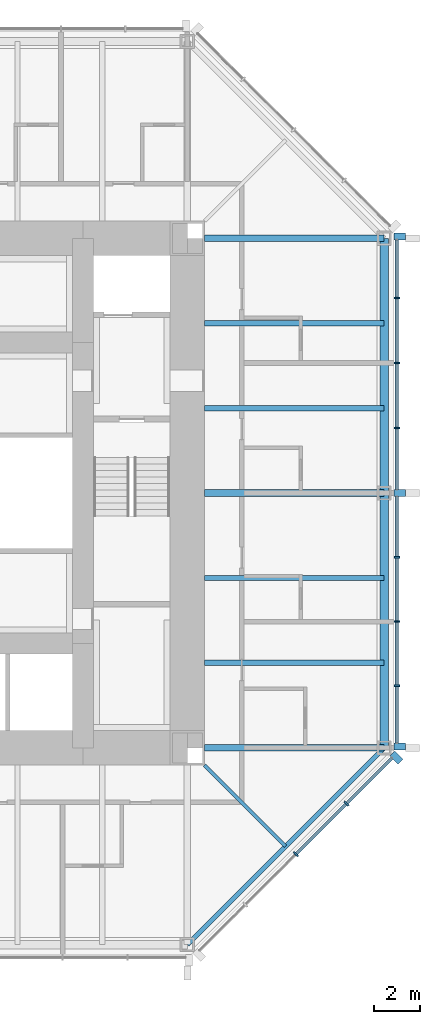
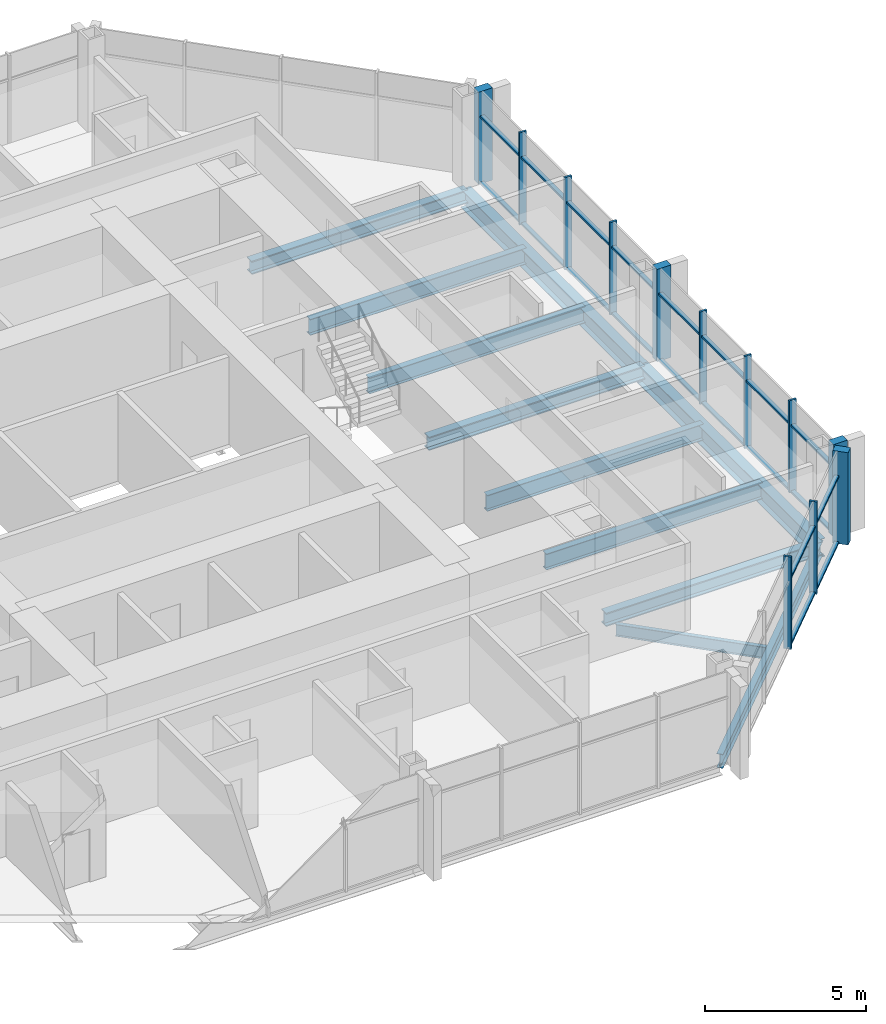
# One storey, part 4 of 12: 32 members, 11 beams, 2 elements without a shape of their own.
"""IFC4 building model written with IfcOpenShell, lengths in metres."""

import ifcopenshell
import ifcopenshell.guid

model = None  # the IFC model being written
_history = None  # IfcOwnerHistory: only IFC2X3 demands one
_inside = {}  # id of a spatial element -> (the spatial element, [elements in it])
_under = {}  # id of a project, library or spatial element -> (it, [spatial elements below it])
_declared = {}  # id of a project -> (the project, [libraries it declares])
_typed = {}  # id of a type object -> (the type object, [elements of that type])
_made_of = {}  # id of a material, layer set ... -> (it, [elements and type objects made of it])


def new_model(schema):
    """Start an empty IFC model of exactly this schema.

    Asked for "IFC4X3", IfcOpenShell would pick the latest addendum, in which some entities
    have other attributes; the version numbers below select the first issue.
    IFC2X3 requires an IfcOwnerHistory on every rooted entity: one is made here for all.
    """
    global model, _history
    if schema == "IFC4X3":
        model = ifcopenshell.file(schema_version=(4, 3, 0, 0))
    else:
        model = ifcopenshell.file(schema=schema)
    _inside.clear()
    _under.clear()
    _declared.clear()
    _typed.clear()
    _made_of.clear()
    _history = None
    if model.schema == "IFC2X3":
        org = make("IfcOrganization", Name="unknown")
        user = make(
            "IfcPersonAndOrganization",
            ThePerson=make("IfcPerson", FamilyName="unknown"),
            TheOrganization=org,
        )
        app = make(
            "IfcApplication",
            ApplicationDeveloper=org,
            Version="unknown",
            ApplicationFullName="unknown",
            ApplicationIdentifier="unknown",
        )
        _history = make(
            "IfcOwnerHistory",
            OwningUser=user,
            OwningApplication=app,
            ChangeAction="ADDED",
            CreationDate=0,
        )
    return model


def make(cls, **values):
    """One entity of the class cls with the attributes given. An attribute that is None is left unset."""
    return model.create_entity(
        cls, **{name: value for name, value in values.items() if value is not None}
    )


def rooted(cls, **values):
    """An entity with a GlobalId (a new one), such as an element, a storey or a relation."""
    return make(cls, GlobalId=ifcopenshell.guid.new(), OwnerHistory=_history, **values)


def si_unit(unit_type, name, prefix=None):
    """IfcSIUnit, for example si_unit("LENGTHUNIT", "METRE", prefix="MILLI")."""
    return make("IfcSIUnit", UnitType=unit_type, Prefix=prefix, Name=name)


def assignment(units):
    """IfcUnitAssignment: the units of a project."""
    return None if units is None else make("IfcUnitAssignment", Units=units)


def point(xyz):
    """IfcCartesianPoint."""
    return None if xyz is None else make("IfcCartesianPoint", Coordinates=xyz)


def direction(xyz):
    """IfcDirection."""
    return None if xyz is None else make("IfcDirection", DirectionRatios=xyz)


def frame(location, z_axis=None, x_axis=None):
    """IfcAxis2Placement3D, a coordinate frame: its origin and axes. An axis left out is left unset."""
    return make(
        "IfcAxis2Placement3D",
        Location=point(location),
        Axis=direction(z_axis),
        RefDirection=direction(x_axis),
    )


def frame_2d(location, x_axis=None):
    """IfcAxis2Placement2D, a coordinate frame in the plane: its origin and x axis."""
    return make(
        "IfcAxis2Placement2D", Location=point(location), RefDirection=direction(x_axis)
    )


def origin():
    """The frame at (0, 0, 0) with its axes left unset."""
    return frame((0.0, 0.0, 0.0))


def origin_2d():
    """The frame at (0, 0) in the plane with its x axis left unset."""
    return frame_2d((0.0, 0.0))


def place(relative_to, where):
    """IfcLocalPlacement: puts the frame where relative to a parent placement (None: the world)."""
    return make(
        "IfcLocalPlacement", PlacementRelTo=relative_to, RelativePlacement=where
    )


def context(
    kind, dimensions, precision=None, world=None, true_north=None, identifier=None
):
    """IfcGeometricRepresentationContext, for example the 3D "Model" context."""
    return make(
        "IfcGeometricRepresentationContext",
        ContextIdentifier=identifier,
        ContextType=kind,
        CoordinateSpaceDimension=dimensions,
        Precision=precision,
        WorldCoordinateSystem=world,
        TrueNorth=true_north,
    )


def subcontext(parent, identifier, kind, view, scale=None):
    """IfcGeometricRepresentationSubContext, for example "Body" below "Model"."""
    return make(
        "IfcGeometricRepresentationSubContext",
        ContextIdentifier=identifier,
        ContextType=kind,
        ParentContext=parent,
        TargetScale=scale,
        TargetView=view,
    )


def project(units=None, contexts=None):
    """IfcProject with its units and contexts."""
    return rooted(
        "IfcProject",
        Name="project",
        RepresentationContexts=contexts,
        UnitsInContext=assignment(units),
    )


def spatial(cls, under=None, at=None, **own):
    """A site, building, storey or space (cls), placed at a placement, below another one or the project."""
    s = rooted(cls, ObjectPlacement=at, **own)
    if under is not None:
        _under.setdefault(under.id(), (under, []))[1].append(s)
    return s


def profile(cls, at=None, kind="AREA", **sizes):
    """A parametric profile (cls). Its sizes go by their IFC names, for example OverallWidth=200.0."""
    return make(cls, ProfileType=kind, Position=at, **sizes)


def rectangle(**sizes):
    """IfcRectangleProfileDef."""
    return profile("IfcRectangleProfileDef", **sizes)


def i_section(**sizes):
    """IfcIShapeProfileDef."""
    return profile("IfcIShapeProfileDef", **sizes)


def extrude(swept, where, along, depth):
    """IfcExtrudedAreaSolid: the profile swept, set in the frame where, extruded along a direction by depth."""
    return make(
        "IfcExtrudedAreaSolid",
        SweptArea=swept,
        Position=where,
        ExtrudedDirection=direction(along),
        Depth=depth,
    )


def shape(context_of_items, identifier, shape_type, items):
    """IfcShapeRepresentation: the items that make up one representation, for example the "Body"."""
    return make(
        "IfcShapeRepresentation",
        ContextOfItems=context_of_items,
        RepresentationIdentifier=identifier,
        RepresentationType=shape_type,
        Items=items,
    )


def material(Name=None, Category=None):
    """IfcMaterial."""
    return make("IfcMaterial", Name=Name, Category=Category)


def material_profile(
    of_material, cross_section, Name=None, Category=None, Priority=None
):
    """IfcMaterialProfile: a cross section and its material."""
    return make(
        "IfcMaterialProfile",
        Name=Name,
        Material=of_material,
        Profile=cross_section,
        Priority=Priority,
        Category=Category,
    )


def profile_set(profiles, Name=None, composite=None):
    """IfcMaterialProfileSet."""
    return make(
        "IfcMaterialProfileSet",
        Name=Name,
        MaterialProfiles=profiles,
        CompositeProfile=composite,
    )


def made_of(thing, what):
    """Note that an element or type object is made of a material, layer set ...; save() writes the relation."""
    if what is not None:
        _made_of.setdefault(what.id(), (what, []))[1].append(thing)
    return thing


def type_object(cls, material=None, **own):
    """A type object (cls), such as IfcWallType, which elements share."""
    return made_of(rooted(cls, **own), material)


def element(
    cls,
    number,
    at=None,
    inside=None,
    cuts=None,
    type_object=None,
    material=None,
    context=None,
    identifier="Body",
    shape_type=None,
    held_by="IfcProductDefinitionShape",
    body=None,
    shapes=None,
    **own,
):
    """One element of the class cls, such as IfcWall. Its Tag is "e" and its number.

    at: its placement. inside: the storey or other place that contains it. cuts: it is an
    opening in that element (IfcRelVoidsElement). A single representation is given by context,
    identifier, shape_type and body (its items); several are given by shapes. held_by: the class
    of the entity that holds the representations. save() writes the other relations.
    """
    e = rooted(cls, Tag="e%d" % number, ObjectPlacement=at, **own)
    if body is not None:
        shapes = [shape(context, identifier, shape_type, body)]
    if shapes is not None:
        e.Representation = make(held_by, Representations=shapes)
    if inside is not None:
        _inside.setdefault(inside.id(), (inside, []))[1].append(e)
    if cuts is not None:
        rooted(
            "IfcRelVoidsElement", RelatingBuildingElement=cuts, RelatedOpeningElement=e
        )
    if type_object is not None:
        _typed.setdefault(type_object.id(), (type_object, []))[1].append(e)
    return made_of(e, material)


def aggregate(whole, parts):
    """IfcRelAggregates: a whole, such as a stair, and the parts it consists of."""
    return rooted("IfcRelAggregates", RelatingObject=whole, RelatedObjects=parts)


def save(model, path):
    """Write the relations noted so far, then the file.

    IfcRelAggregates (storeys below a building ...), IfcRelContainedInSpatialStructure (elements
    in a storey), IfcRelDefinesByType, IfcRelAssociatesMaterial and IfcRelDeclares: one each for
    every whole, place, type object, material and project.
    """
    for whole, parts in _under.values():
        aggregate(whole, parts)
    for where, things in _inside.values():
        rooted(
            "IfcRelContainedInSpatialStructure",
            RelatedElements=things,
            RelatingStructure=where,
        )
    for kind, things in _typed.values():
        rooted("IfcRelDefinesByType", RelatedObjects=things, RelatingType=kind)
    for what, things in _made_of.values():
        rooted("IfcRelAssociatesMaterial", RelatedObjects=things, RelatingMaterial=what)
    for by, libraries in _declared.values():
        rooted("IfcRelDeclares", RelatingContext=by, RelatedDefinitions=libraries)
    model.write(path)


model = new_model("IFC4")

# Units and contexts
model_context = context("Model", 3, precision=1e-05, world=origin(), true_north=direction((0.0, 1.0)))
body_context = subcontext(model_context, "Body", "Model", "MODEL_VIEW")
ifc_project = project(units=[si_unit("LENGTHUNIT", "METRE"), si_unit("AREAUNIT", "SQUARE_METRE"), si_unit("VOLUMEUNIT", "CUBIC_METRE"), si_unit("PLANEANGLEUNIT", "RADIAN"), si_unit("MASSUNIT", "GRAM", prefix="KILO")], contexts=[model_context])

# Site, building, storey
site_placement = place(None, origin())
site = spatial("IfcSite", under=ifc_project, at=site_placement, CompositionType="ELEMENT")
building_placement = place(site_placement, origin())
building = spatial("IfcBuilding", under=site, at=building_placement, Name="Trevanion Tower", CompositionType="ELEMENT")
storey_placement = place(building_placement, frame((0.0, 0.0, 194.199951171875)))
storey = spatial("IfcBuildingStorey", under=building, at=storey_placement, Name="L45", CompositionType="ELEMENT", Elevation=194.199951171875)

# Beams
ifc_material_1 = material(Name="Steel ASTM A992 Grade 50", Category="steel")
ifc_material_profile_1 = material_profile(ifc_material_1, i_section(OverallWidth=0.228271484375, OverallDepth=0.607177734375, WebThickness=0.01123046875, FlangeThickness=0.017333984375, at=origin_2d()), Name="W24X76")
ifc_profile_set_1 = profile_set([ifc_material_profile_1], Name="Steel ASTM A992 Grade 50")
beam_type_1 = type_object("IfcBeamType", Name="B11 W24X76", PredefinedType="BEAM", material=ifc_profile_set_1)
for number, where, z_axis, x_axis, name in (
    (1, (11.75, -7.333251953125, -0.493408203125), (1.0, 0.0, 0.0), (0.0, 1.0, 0.0), "B11 L45"),
    (2, (11.75, -3.666748046875, -0.493408203125), (1.0, 0.0, 0.0), (0.0, 1.0, 0.0), "B11 L45"),
    (3, (11.75, 3.666748046875, -0.493408203125), (1.0, 0.0, 0.0), (0.0, 1.0, 0.0), "B11 L45"),
    (4, (11.75, 7.333251953125, -0.493408203125), (1.0, 0.0, 0.0), (0.0, 1.0, 0.0), "B11 L45"),
):
    element("IfcBeam", number, at=place(storey_placement, frame(where, z_axis=z_axis, x_axis=x_axis)), inside=storey, type_object=beam_type_1, Name=name, PredefinedType="BEAM", context=body_context, shape_type="SweptSolid", body=[
        extrude(i_section(OverallWidth=0.228271484375, OverallDepth=0.607177734375, WebThickness=0.01123046875, FlangeThickness=0.017333984375, at=origin_2d()), origin(), (0.0, 0.0, 1.0), 7.75),
    ])
ifc_material_2 = material(Name="Steel ASTM A992 Grade 50", Category="steel")
ifc_material_profile_2 = material_profile(ifc_material_2, i_section(OverallWidth=0.15234375, OverallDepth=0.449462890625, WebThickness=0.007568359375, FlangeThickness=0.0107421875, at=origin_2d()), Name="W18X35")
ifc_profile_set_2 = profile_set([ifc_material_profile_2], Name="Steel ASTM A992 Grade 50")
beam_type_2 = type_object("IfcBeamType", Name="B12 W18X35", PredefinedType="BEAM", material=ifc_profile_set_2)
beam_1_placement = place(storey_placement, frame((11.75, -11.75, -0.414794921875), z_axis=(0.707106781187, -0.707106781187, 0.0), x_axis=(0.707106781187, 0.707106781187, 0.0)))
element("IfcBeam", 5, at=beam_1_placement, inside=storey, type_object=beam_type_2, Name="B12 L45", PredefinedType="BEAM", context=body_context, shape_type="SweptSolid", body=[
    extrude(i_section(OverallWidth=0.15234375, OverallDepth=0.449462890625, WebThickness=0.007568359375, FlangeThickness=0.0107421875, at=origin_2d()), origin(), (0.0, 0.0, 1.0), 4.94970703125),
])

# Curtain wall, members
ifc_material_3 = material(Name="Aluminium and glass", Category="aluminium")
curtain_wall_type = type_object("IfcCurtainWallType", Name="CW3 curtain wall", PredefinedType="USERDEFINED", material=ifc_material_3)
curtain_wall_1_placement = place(storey_placement, origin())
curtain_wall_1 = element("IfcCurtainWall", 6, at=curtain_wall_1_placement, inside=storey, type_object=curtain_wall_type, Name="CW3 L45 0", ObjectType="UNITISED CURTAIN WALL", PredefinedType="USERDEFINED")
ifc_material_4 = material(Name="Aluminium extrusion, anodised bronze", Category="aluminium")
ifc_material_profile_3 = material_profile(ifc_material_4, rectangle(XDim=0.074951171875, YDim=0.25, at=origin_2d()), Name="CW3 mullion")
ifc_profile_set_3 = profile_set([ifc_material_profile_3], Name="Aluminium extrusion, anodised bronze")
member_type_1 = type_object("IfcMemberType", Name="CW3 mullion", PredefinedType="MULLION", material=ifc_profile_set_3)
member_1_placement = place(storey_placement, frame((20.050048828125, -8.323486328125, -0.18994140625), z_axis=(0.0, 0.0, 1.0), x_axis=(0.0, 1.0, 0.0)))
member_1 = element("IfcMember", 7, at=member_1_placement, type_object=member_type_1, Name="CW3 mullion 2", PredefinedType="MULLION", context=body_context, shape_type="SweptSolid", body=[
    extrude(rectangle(XDim=0.074951171875, YDim=0.25, at=origin_2d()), origin(), (0.0, 0.0, 1.0), 3.5),
])
member_2_placement = place(storey_placement, frame((20.050048828125, -5.548828125, -0.18994140625), z_axis=(0.0, 0.0, 1.0), x_axis=(0.0, 1.0, 0.0)))
member_2 = element("IfcMember", 8, at=member_2_placement, type_object=member_type_1, Name="CW3 mullion 3", PredefinedType="MULLION", context=body_context, shape_type="SweptSolid", body=[
    extrude(rectangle(XDim=0.074951171875, YDim=0.25, at=origin_2d()), origin(), (0.0, 0.0, 1.0), 3.5),
])
member_3_placement = place(storey_placement, frame((20.050048828125, -2.7744140625, -0.18994140625), z_axis=(0.0, 0.0, 1.0), x_axis=(0.0, 1.0, 0.0)))
member_3 = element("IfcMember", 9, at=member_3_placement, type_object=member_type_1, Name="CW3 mullion 4", PredefinedType="MULLION", context=body_context, shape_type="SweptSolid", body=[
    extrude(rectangle(XDim=0.074951171875, YDim=0.25, at=origin_2d()), origin(), (0.0, 0.0, 1.0), 3.5),
])
member_4_placement = place(storey_placement, frame((20.050048828125, 2.806884765625, -0.18994140625), z_axis=(0.0, 0.0, 1.0), x_axis=(0.0, 1.0, 0.0)))
member_4 = element("IfcMember", 10, at=member_4_placement, type_object=member_type_1, Name="CW3 mullion 6", PredefinedType="MULLION", context=body_context, shape_type="SweptSolid", body=[
    extrude(rectangle(XDim=0.074951171875, YDim=0.25, at=origin_2d()), origin(), (0.0, 0.0, 1.0), 3.5),
])
member_5_placement = place(storey_placement, frame((20.050048828125, 5.614013671875, -0.18994140625), z_axis=(0.0, 0.0, 1.0), x_axis=(0.0, 1.0, 0.0)))
member_5 = element("IfcMember", 11, at=member_5_placement, type_object=member_type_1, Name="CW3 mullion 7", PredefinedType="MULLION", context=body_context, shape_type="SweptSolid", body=[
    extrude(rectangle(XDim=0.074951171875, YDim=0.25, at=origin_2d()), origin(), (0.0, 0.0, 1.0), 3.5),
])
member_6_placement = place(storey_placement, frame((20.050048828125, 8.4208984375, -0.18994140625), z_axis=(0.0, 0.0, 1.0), x_axis=(0.0, 1.0, 0.0)))
member_6 = element("IfcMember", 12, at=member_6_placement, type_object=member_type_1, Name="CW3 mullion 8", PredefinedType="MULLION", context=body_context, shape_type="SweptSolid", body=[
    extrude(rectangle(XDim=0.074951171875, YDim=0.25, at=origin_2d()), origin(), (0.0, 0.0, 1.0), 3.5),
])

curtain_wall_2_placement = place(storey_placement, origin())
curtain_wall_2 = element("IfcCurtainWall", 13, at=curtain_wall_2_placement, inside=storey, type_object=curtain_wall_type, Name="CW3 L45 7", ObjectType="UNITISED CURTAIN WALL", PredefinedType="USERDEFINED")
member_7_placement = place(storey_placement, frame((15.684814453125, -15.593017578125, -0.18994140625), z_axis=(0.0, 0.0, 1.0), x_axis=(0.707106781187, 0.707106781187, 0.0)))
member_7 = element("IfcMember", 14, at=member_7_placement, type_object=member_type_1, Name="CW3 mullion 3", PredefinedType="MULLION", context=body_context, shape_type="SweptSolid", body=[
    extrude(rectangle(XDim=0.074951171875, YDim=0.25, at=origin_2d()), origin(), (0.0, 0.0, 1.0), 3.5),
])
member_8_placement = place(storey_placement, frame((17.867431640625, -13.410400390625, -0.18994140625), z_axis=(0.0, 0.0, 1.0), x_axis=(0.707106781187, 0.707106781187, 0.0)))
member_8 = element("IfcMember", 15, at=member_8_placement, type_object=member_type_1, Name="CW3 mullion 4", PredefinedType="MULLION", context=body_context, shape_type="SweptSolid", body=[
    extrude(rectangle(XDim=0.074951171875, YDim=0.25, at=origin_2d()), origin(), (0.0, 0.0, 1.0), 3.5),
])

# Member
ifc_material_5 = material(Name="Aluminium extrusion, anodised bronze", Category="aluminium")
ifc_material_profile_4 = material_profile(ifc_material_5, rectangle(XDim=0.300048828125, YDim=0.5, at=origin_2d()), Name="CW3 pier mullion")
ifc_profile_set_4 = profile_set([ifc_material_profile_4], Name="Aluminium extrusion, anodised bronze")
member_type_2 = type_object("IfcMemberType", Name="CW3 pier mullion", PredefinedType="MULLION", material=ifc_profile_set_4)
member_9_placement = place(storey_placement, frame((20.175048828125, -10.94775390625, -0.18994140625), z_axis=(0.0, 0.0, 1.0), x_axis=(0.0, 1.0, 0.0)))
member_9 = element("IfcMember", 16, at=member_9_placement, type_object=member_type_2, Name="CW3 pier mullion 1", PredefinedType="MULLION", context=body_context, shape_type="SweptSolid", body=[
    extrude(rectangle(XDim=0.300048828125, YDim=0.5, at=origin_2d()), origin(), (0.0, 0.0, 1.0), 3.5),
])

member_10_placement = place(storey_placement, frame((20.175048828125, 0.0, -0.18994140625), z_axis=(0.0, 0.0, 1.0), x_axis=(0.0, 1.0, 0.0)))
member_10 = element("IfcMember", 17, at=member_10_placement, type_object=member_type_2, Name="CW3 pier mullion 5", PredefinedType="MULLION", context=body_context, shape_type="SweptSolid", body=[
    extrude(rectangle(XDim=0.300048828125, YDim=0.5, at=origin_2d()), origin(), (0.0, 0.0, 1.0), 3.5),
])

member_11_placement = place(storey_placement, frame((20.175048828125, 11.077880859375, -0.18994140625), z_axis=(0.0, 0.0, 1.0), x_axis=(0.0, 1.0, 0.0)))
member_11 = element("IfcMember", 18, at=member_11_placement, type_object=member_type_2, Name="CW3 pier mullion 9", PredefinedType="MULLION", context=body_context, shape_type="SweptSolid", body=[
    extrude(rectangle(XDim=0.300048828125, YDim=0.5, at=origin_2d()), origin(), (0.0, 0.0, 1.0), 3.5),
])

member_12_placement = place(storey_placement, frame((20.0322265625, -11.42236328125, -0.18994140625), z_axis=(0.0, 0.0, 1.0), x_axis=(0.707106781187, 0.707106781187, 0.0)))
member_12 = element("IfcMember", 19, at=member_12_placement, type_object=member_type_2, Name="CW3 pier mullion 5", PredefinedType="MULLION", context=body_context, shape_type="SweptSolid", body=[
    extrude(rectangle(XDim=0.300048828125, YDim=0.5, at=origin_2d()), origin(), (0.0, 0.0, 1.0), 3.5),
])

ifc_material_6 = material(Name="Aluminium extrusion, anodised bronze", Category="aluminium")
ifc_material_profile_5 = material_profile(ifc_material_6, rectangle(XDim=0.14990234375, YDim=0.074951171875, at=origin_2d()), Name="CW3 transom")
ifc_profile_set_5 = profile_set([ifc_material_profile_5], Name="Aluminium extrusion, anodised bronze")
member_type_3 = type_object("IfcMemberType", Name="CW3 transom", PredefinedType="USERDEFINED", material=ifc_profile_set_5)
member_13_placement = place(storey_placement, frame((20.050048828125, -10.7978515625, -0.15234375), z_axis=(0.0, 1.0, 0.0), x_axis=(-1.0, 0.0, 0.0)))
member_13 = element("IfcMember", 20, at=member_13_placement, type_object=member_type_3, Name="CW3 transom 1.1", ObjectType="TRANSOM", PredefinedType="USERDEFINED", context=body_context, shape_type="SweptSolid", body=[
    extrude(rectangle(XDim=0.14990234375, YDim=0.074951171875, at=origin_2d()), origin(), (0.0, 0.0, 1.0), 2.43701171875),
])

member_14_placement = place(storey_placement, frame((20.050048828125, -10.7978515625, 2.360107421875), z_axis=(0.0, 1.0, 0.0), x_axis=(-1.0, 0.0, 0.0)))
member_14 = element("IfcMember", 21, at=member_14_placement, type_object=member_type_3, Name="CW3 transom 1.2", ObjectType="TRANSOM", PredefinedType="USERDEFINED", context=body_context, shape_type="SweptSolid", body=[
    extrude(rectangle(XDim=0.14990234375, YDim=0.074951171875, at=origin_2d()), origin(), (0.0, 0.0, 1.0), 2.43701171875),
])

member_15_placement = place(storey_placement, frame((20.050048828125, -8.285888671875, -0.15234375), z_axis=(0.0, 1.0, 0.0), x_axis=(-1.0, 0.0, 0.0)))
member_15 = element("IfcMember", 22, at=member_15_placement, type_object=member_type_3, Name="CW3 transom 2.1", ObjectType="TRANSOM", PredefinedType="USERDEFINED", context=body_context, shape_type="SweptSolid", body=[
    extrude(rectangle(XDim=0.14990234375, YDim=0.074951171875, at=origin_2d()), origin(), (0.0, 0.0, 1.0), 2.699462890625),
])

member_16_placement = place(storey_placement, frame((20.050048828125, -8.285888671875, 2.360107421875), z_axis=(0.0, 1.0, 0.0), x_axis=(-1.0, 0.0, 0.0)))
member_16 = element("IfcMember", 23, at=member_16_placement, type_object=member_type_3, Name="CW3 transom 2.2", ObjectType="TRANSOM", PredefinedType="USERDEFINED", context=body_context, shape_type="SweptSolid", body=[
    extrude(rectangle(XDim=0.14990234375, YDim=0.074951171875, at=origin_2d()), origin(), (0.0, 0.0, 1.0), 2.699462890625),
])

member_17_placement = place(storey_placement, frame((20.050048828125, -5.511474609375, -0.15234375), z_axis=(0.0, 1.0, 0.0), x_axis=(-1.0, 0.0, 0.0)))
member_17 = element("IfcMember", 24, at=member_17_placement, type_object=member_type_3, Name="CW3 transom 3.1", ObjectType="TRANSOM", PredefinedType="USERDEFINED", context=body_context, shape_type="SweptSolid", body=[
    extrude(rectangle(XDim=0.14990234375, YDim=0.074951171875, at=origin_2d()), origin(), (0.0, 0.0, 1.0), 2.699462890625),
])

member_18_placement = place(storey_placement, frame((20.050048828125, -5.511474609375, 2.360107421875), z_axis=(0.0, 1.0, 0.0), x_axis=(-1.0, 0.0, 0.0)))
member_18 = element("IfcMember", 25, at=member_18_placement, type_object=member_type_3, Name="CW3 transom 3.2", ObjectType="TRANSOM", PredefinedType="USERDEFINED", context=body_context, shape_type="SweptSolid", body=[
    extrude(rectangle(XDim=0.14990234375, YDim=0.074951171875, at=origin_2d()), origin(), (0.0, 0.0, 1.0), 2.699462890625),
])

member_19_placement = place(storey_placement, frame((20.050048828125, -2.737060546875, -0.15234375), z_axis=(0.0, 1.0, 0.0), x_axis=(-1.0, 0.0, 0.0)))
member_19 = element("IfcMember", 26, at=member_19_placement, type_object=member_type_3, Name="CW3 transom 4.1", ObjectType="TRANSOM", PredefinedType="USERDEFINED", context=body_context, shape_type="SweptSolid", body=[
    extrude(rectangle(XDim=0.14990234375, YDim=0.074951171875, at=origin_2d()), origin(), (0.0, 0.0, 1.0), 2.587158203125),
])

member_20_placement = place(storey_placement, frame((20.050048828125, -2.737060546875, 2.360107421875), z_axis=(0.0, 1.0, 0.0), x_axis=(-1.0, 0.0, 0.0)))
member_20 = element("IfcMember", 27, at=member_20_placement, type_object=member_type_3, Name="CW3 transom 4.2", ObjectType="TRANSOM", PredefinedType="USERDEFINED", context=body_context, shape_type="SweptSolid", body=[
    extrude(rectangle(XDim=0.14990234375, YDim=0.074951171875, at=origin_2d()), origin(), (0.0, 0.0, 1.0), 2.587158203125),
])

member_21_placement = place(storey_placement, frame((20.050048828125, 0.14990234375, -0.15234375), z_axis=(0.0, 1.0, 0.0), x_axis=(-1.0, 0.0, 0.0)))
member_21 = element("IfcMember", 28, at=member_21_placement, type_object=member_type_3, Name="CW3 transom 5.1", ObjectType="TRANSOM", PredefinedType="USERDEFINED", context=body_context, shape_type="SweptSolid", body=[
    extrude(rectangle(XDim=0.14990234375, YDim=0.074951171875, at=origin_2d()), origin(), (0.0, 0.0, 1.0), 2.619384765625),
])

member_22_placement = place(storey_placement, frame((20.050048828125, 0.14990234375, 2.360107421875), z_axis=(0.0, 1.0, 0.0), x_axis=(-1.0, 0.0, 0.0)))
member_22 = element("IfcMember", 29, at=member_22_placement, type_object=member_type_3, Name="CW3 transom 5.2", ObjectType="TRANSOM", PredefinedType="USERDEFINED", context=body_context, shape_type="SweptSolid", body=[
    extrude(rectangle(XDim=0.14990234375, YDim=0.074951171875, at=origin_2d()), origin(), (0.0, 0.0, 1.0), 2.619384765625),
])

member_23_placement = place(storey_placement, frame((20.050048828125, 2.844482421875, -0.15234375), z_axis=(0.0, 1.0, 0.0), x_axis=(-1.0, 0.0, 0.0)))
member_23 = element("IfcMember", 30, at=member_23_placement, type_object=member_type_3, Name="CW3 transom 6.1", ObjectType="TRANSOM", PredefinedType="USERDEFINED", context=body_context, shape_type="SweptSolid", body=[
    extrude(rectangle(XDim=0.14990234375, YDim=0.074951171875, at=origin_2d()), origin(), (0.0, 0.0, 1.0), 2.73193359375),
])

member_24_placement = place(storey_placement, frame((20.050048828125, 2.844482421875, 2.360107421875), z_axis=(0.0, 1.0, 0.0), x_axis=(-1.0, 0.0, 0.0)))
member_24 = element("IfcMember", 31, at=member_24_placement, type_object=member_type_3, Name="CW3 transom 6.2", ObjectType="TRANSOM", PredefinedType="USERDEFINED", context=body_context, shape_type="SweptSolid", body=[
    extrude(rectangle(XDim=0.14990234375, YDim=0.074951171875, at=origin_2d()), origin(), (0.0, 0.0, 1.0), 2.73193359375),
])

member_25_placement = place(storey_placement, frame((20.050048828125, 5.6513671875, -0.15234375), z_axis=(0.0, 1.0, 0.0), x_axis=(-1.0, 0.0, 0.0)))
member_25 = element("IfcMember", 32, at=member_25_placement, type_object=member_type_3, Name="CW3 transom 7.1", ObjectType="TRANSOM", PredefinedType="USERDEFINED", context=body_context, shape_type="SweptSolid", body=[
    extrude(rectangle(XDim=0.14990234375, YDim=0.074951171875, at=origin_2d()), origin(), (0.0, 0.0, 1.0), 2.73193359375),
])

member_26_placement = place(storey_placement, frame((20.050048828125, 5.6513671875, 2.360107421875), z_axis=(0.0, 1.0, 0.0), x_axis=(-1.0, 0.0, 0.0)))
member_26 = element("IfcMember", 33, at=member_26_placement, type_object=member_type_3, Name="CW3 transom 7.2", ObjectType="TRANSOM", PredefinedType="USERDEFINED", context=body_context, shape_type="SweptSolid", body=[
    extrude(rectangle(XDim=0.14990234375, YDim=0.074951171875, at=origin_2d()), origin(), (0.0, 0.0, 1.0), 2.73193359375),
])

member_27_placement = place(storey_placement, frame((20.050048828125, 8.45849609375, -0.15234375), z_axis=(0.0, 1.0, 0.0), x_axis=(-1.0, 0.0, 0.0)))
member_27 = element("IfcMember", 34, at=member_27_placement, type_object=member_type_3, Name="CW3 transom 8.1", ObjectType="TRANSOM", PredefinedType="USERDEFINED", context=body_context, shape_type="SweptSolid", body=[
    extrude(rectangle(XDim=0.14990234375, YDim=0.074951171875, at=origin_2d()), origin(), (0.0, 0.0, 1.0), 2.46923828125),
])

member_28_placement = place(storey_placement, frame((20.050048828125, 8.45849609375, 2.360107421875), z_axis=(0.0, 1.0, 0.0), x_axis=(-1.0, 0.0, 0.0)))
member_28 = element("IfcMember", 35, at=member_28_placement, type_object=member_type_3, Name="CW3 transom 8.2", ObjectType="TRANSOM", PredefinedType="USERDEFINED", context=body_context, shape_type="SweptSolid", body=[
    extrude(rectangle(XDim=0.14990234375, YDim=0.074951171875, at=origin_2d()), origin(), (0.0, 0.0, 1.0), 2.46923828125),
])

aggregate(curtain_wall_1, [member_9, member_1, member_2, member_3, member_10, member_4, member_5, member_6, member_11, member_13, member_14, member_15, member_16, member_17, member_18, member_19, member_20, member_21, member_22, member_23, member_24, member_25, member_26, member_27, member_28])

member_29_placement = place(storey_placement, frame((15.71142578125, -15.56640625, -0.15234375), z_axis=(0.707106781187, 0.707106781187, 0.0), x_axis=(-0.707106781187, 0.707106781187, 0.0)))
member_29 = element("IfcMember", 36, at=member_29_placement, type_object=member_type_3, Name="CW3 transom 3.1", ObjectType="TRANSOM", PredefinedType="USERDEFINED", context=body_context, shape_type="SweptSolid", body=[
    extrude(rectangle(XDim=0.14990234375, YDim=0.074951171875, at=origin_2d()), origin(), (0.0, 0.0, 1.0), 3.011474609375),
])

member_30_placement = place(storey_placement, frame((15.71142578125, -15.56640625, 2.360107421875), z_axis=(0.707106781187, 0.707106781187, 0.0), x_axis=(-0.707106781187, 0.707106781187, 0.0)))
member_30 = element("IfcMember", 37, at=member_30_placement, type_object=member_type_3, Name="CW3 transom 3.2", ObjectType="TRANSOM", PredefinedType="USERDEFINED", context=body_context, shape_type="SweptSolid", body=[
    extrude(rectangle(XDim=0.14990234375, YDim=0.074951171875, at=origin_2d()), origin(), (0.0, 0.0, 1.0), 3.011474609375),
])

member_31_placement = place(storey_placement, frame((17.89404296875, -13.3837890625, -0.15234375), z_axis=(0.707106781187, 0.707106781187, 0.0), x_axis=(-0.707106781187, 0.707106781187, 0.0)))
member_31 = element("IfcMember", 38, at=member_31_placement, type_object=member_type_3, Name="CW3 transom 4.1", ObjectType="TRANSOM", PredefinedType="USERDEFINED", context=body_context, shape_type="SweptSolid", body=[
    extrude(rectangle(XDim=0.14990234375, YDim=0.074951171875, at=origin_2d()), origin(), (0.0, 0.0, 1.0), 2.7490234375),
])

member_32_placement = place(storey_placement, frame((17.89404296875, -13.3837890625, 2.360107421875), z_axis=(0.707106781187, 0.707106781187, 0.0), x_axis=(-0.707106781187, 0.707106781187, 0.0)))
member_32 = element("IfcMember", 39, at=member_32_placement, type_object=member_type_3, Name="CW3 transom 4.2", ObjectType="TRANSOM", PredefinedType="USERDEFINED", context=body_context, shape_type="SweptSolid", body=[
    extrude(rectangle(XDim=0.14990234375, YDim=0.074951171875, at=origin_2d()), origin(), (0.0, 0.0, 1.0), 2.7490234375),
])

aggregate(curtain_wall_2, [member_7, member_8, member_12, member_29, member_30, member_31, member_32])

# Beams
ifc_material_7 = material(Name="Steel ASTM A992 Grade 50", Category="steel")
ifc_material_profile_6 = material_profile(ifc_material_7, i_section(OverallWidth=0.28955078125, OverallDepth=0.508056640625, WebThickness=0.022705078125, FlangeThickness=0.040283203125, at=origin_2d()), Name="W18X175")
ifc_profile_set_6 = profile_set([ifc_material_profile_6], Name="Steel ASTM A992 Grade 50")
beam_type_3 = type_object("IfcBeamType", Name="G6 W18X175", PredefinedType="BEAM", material=ifc_profile_set_6)
for number, where, z_axis, x_axis, name in (
    (40, (11.75, -11.0, -0.44384765625), (1.0, 0.0, 0.0), (0.0, 1.0, 0.0), "G6 L45"),
    (41, (11.75, 0.0, -0.44384765625), (1.0, 0.0, 0.0), (0.0, 1.0, 0.0), "G6 L45"),
    (42, (11.75, 11.0, -0.44384765625), (1.0, 0.0, 0.0), (0.0, 1.0, 0.0), "G6 L45"),
):
    element("IfcBeam", number, at=place(storey_placement, frame(where, z_axis=z_axis, x_axis=x_axis)), inside=storey, type_object=beam_type_3, Name=name, PredefinedType="BEAM", context=body_context, shape_type="SweptSolid", body=[
        extrude(i_section(OverallWidth=0.28955078125, OverallDepth=0.508056640625, WebThickness=0.022705078125, FlangeThickness=0.040283203125, at=origin_2d()), origin(), (0.0, 0.0, 1.0), 7.75),
    ])
ifc_material_8 = material(Name="Steel ASTM A992 Grade 50", Category="steel")
ifc_material_profile_7 = material_profile(ifc_material_8, i_section(OverallWidth=0.355712890625, OverallDepth=0.696044921875, WebThickness=0.015380859375, FlangeThickness=0.024658203125, at=origin_2d()), Name="W27X146")
ifc_profile_set_7 = profile_set([ifc_material_profile_7], Name="Steel ASTM A992 Grade 50")
beam_type_4 = type_object("IfcBeamType", Name="SB8 W27X146", PredefinedType="SPANDREL", material=ifc_profile_set_7)
for number, where, z_axis, x_axis, name in (
    (43, (19.5, -11.0, -0.537841796875), (0.0, 1.0, 0.0), (-1.0, 0.0, 0.0), "SB8 L45"),
    (44, (19.5, 0.0, -0.537841796875), (0.0, 1.0, 0.0), (-1.0, 0.0, 0.0), "SB8 L45"),
):
    element("IfcBeam", number, at=place(storey_placement, frame(where, z_axis=z_axis, x_axis=x_axis)), inside=storey, type_object=beam_type_4, Name=name, PredefinedType="SPANDREL", context=body_context, shape_type="SweptSolid", body=[
        extrude(i_section(OverallWidth=0.355712890625, OverallDepth=0.696044921875, WebThickness=0.015380859375, FlangeThickness=0.024658203125, at=origin_2d()), origin(), (0.0, 0.0, 1.0), 11.0),
    ])
ifc_material_9 = material(Name="Steel ASTM A992 Grade 50", Category="steel")
ifc_material_profile_8 = material_profile(ifc_material_9, i_section(OverallWidth=0.209228515625, OverallDepth=0.533447265625, WebThickness=0.01025390625, FlangeThickness=0.015625, at=origin_2d()), Name="W21X62")
ifc_profile_set_8 = profile_set([ifc_material_profile_8], Name="Steel ASTM A992 Grade 50")
beam_type_5 = type_object("IfcBeamType", Name="SB9 W21X62", PredefinedType="SPANDREL", material=ifc_profile_set_8)
beam_2_placement = place(storey_placement, frame((11.0, -19.5, -0.45654296875), z_axis=(0.707106781187, 0.707106781187, 0.0), x_axis=(-0.707106781187, 0.707106781187, 0.0)))
element("IfcBeam", 45, at=beam_2_placement, inside=storey, type_object=beam_type_5, Name="SB9 L45", PredefinedType="SPANDREL", context=body_context, shape_type="SweptSolid", body=[
    extrude(i_section(OverallWidth=0.209228515625, OverallDepth=0.533447265625, WebThickness=0.01025390625, FlangeThickness=0.015625, at=origin_2d()), origin(), (0.0, 0.0, 1.0), 12.020751953125),
])

save(model, "model.ifc")
